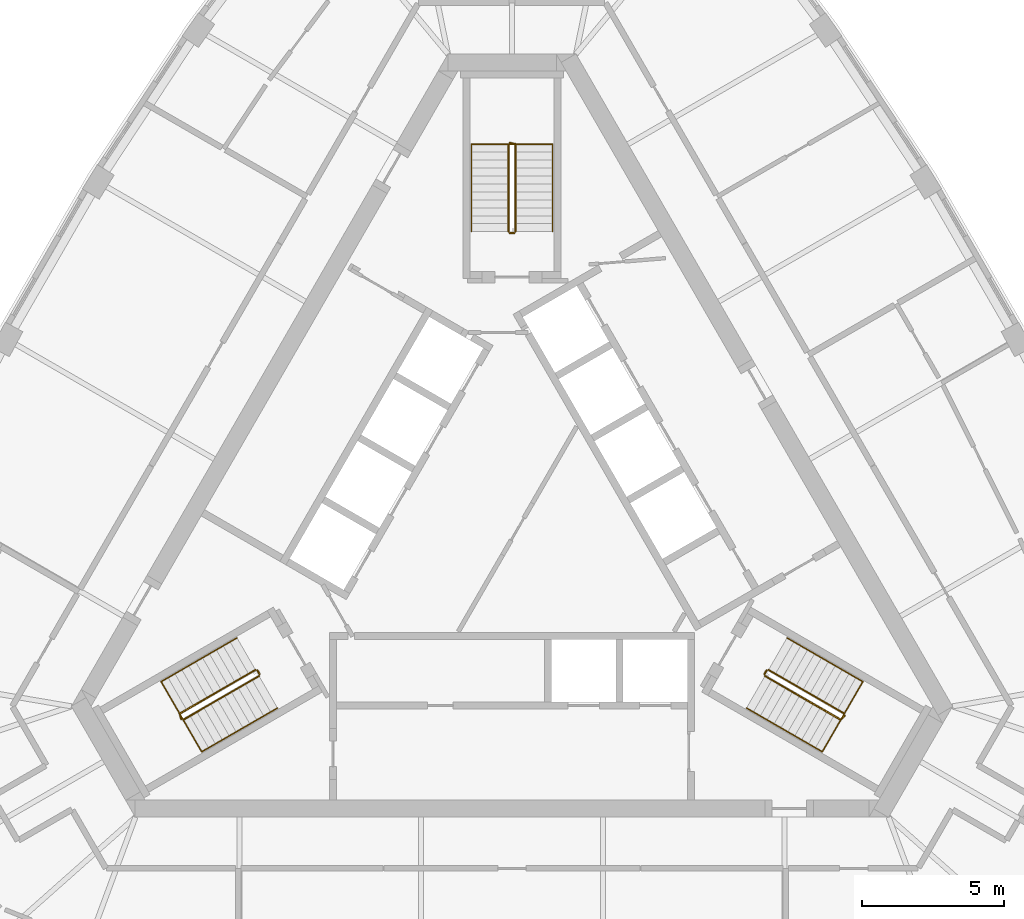
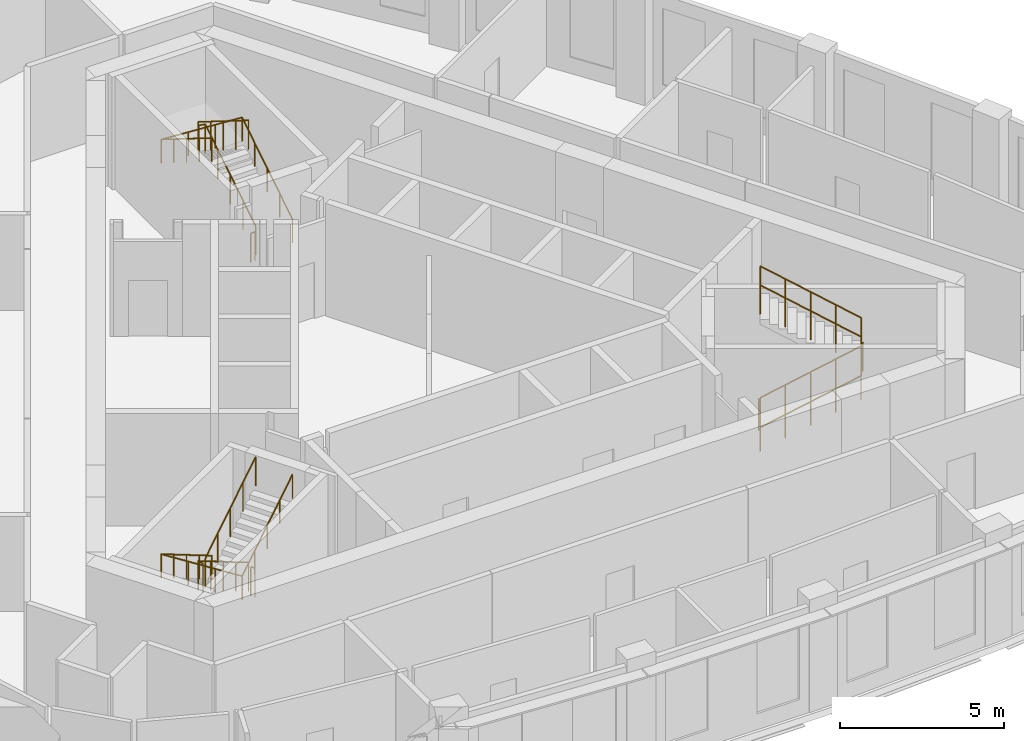
# One storey, part 10 of 10: 12 railings.
"""IFC4 building model written with IfcOpenShell, lengths in metres."""

from ifc_helpers import new_model, si_unit, direction, frame, origin, origin_2d, place, context, subcontext, project, spatial, circle, extrude, material, type_object, element, save


model = new_model("IFC4")

# Units and contexts
model_context = context("Model", 3, precision=1e-05, world=origin(), true_north=direction((0.0, 1.0)))
body_context = subcontext(model_context, "Body", "Model", "MODEL_VIEW")
ifc_project = project(units=[si_unit("LENGTHUNIT", "METRE"), si_unit("AREAUNIT", "SQUARE_METRE"), si_unit("VOLUMEUNIT", "CUBIC_METRE"), si_unit("PLANEANGLEUNIT", "RADIAN"), si_unit("MASSUNIT", "GRAM", prefix="KILO")], contexts=[model_context])

# Site, building, storey
site_placement = place(None, origin())
site = spatial("IfcSite", under=ifc_project, at=site_placement, CompositionType="ELEMENT")
building_placement = place(site_placement, origin())
building = spatial("IfcBuilding", under=site, at=building_placement, Name="Mestral Congress Tower", CompositionType="ELEMENT")
storey_placement = place(building_placement, frame((0.0, 0.0, 309.0)))
storey = spatial("IfcBuildingStorey", under=building, at=storey_placement, Name="L72", CompositionType="ELEMENT", Elevation=309.0)

# Railings
ifc_material_1 = material(Name="Steel balustrade", Category="steel")
railing_type_1 = type_object("IfcRailingType", Name="Stair guard 1100", PredefinedType="GUARDRAIL", material=ifc_material_1)
railing_1_placement = place(storey_placement, frame((8.90087890625, -5.283203125, 0.175048828125)))
element("IfcRailing", 1, at=railing_1_placement, inside=storey, type_object=railing_type_1, Name="L72 ST1 stair guard 1", PredefinedType="GUARDRAIL", context=body_context, shape_type="SweptSolid", body=[
    extrude(circle(Radius=0.02392578125, at=origin_2d()), frame((0.0, 0.0, 1.076171875), z_axis=(0.734364028329, -0.424015404183, 0.530019255228), x_axis=(0.500026652407, 0.866010015463, 0.0)), (0.0, 0.0, 1.0), 3.632080078125),
    extrude(circle(Radius=0.02392578125, at=origin_2d()), frame((2.667236328125, -1.5400390625, 3.0009765625), z_axis=(0.695164929852, 0.718850276695, 0.0), x_axis=(-0.718850276695, 0.695164929852, 0.0)), (0.0, 0.0, 1.0), 0.2060546875),
    extrude(circle(Radius=0.02099609375, at=origin_2d()), origin(), (0.0, 0.0, 1.0), 1.052001953125),
    extrude(circle(Radius=0.02099609375, at=origin_2d()), frame((0.666748046875, -0.385009765625, 0.481201171875)), (0.0, 0.0, 1.0), 1.052001953125),
    extrude(circle(Radius=0.02099609375, at=origin_2d()), frame((1.33349609375, -0.77001953125, 0.96240234375)), (0.0, 0.0, 1.0), 1.052001953125),
    extrude(circle(Radius=0.02099609375, at=origin_2d()), frame((2.00048828125, -1.155029296875, 1.44384765625)), (0.0, 0.0, 1.0), 1.052001953125),
    extrude(circle(Radius=0.02099609375, at=origin_2d()), frame((2.667236328125, -1.5400390625, 1.925048828125)), (0.0, 0.0, 1.0), 1.052001953125),
    extrude(circle(Radius=0.02099609375, at=origin_2d()), frame((2.810546875, -1.391845703125, 1.925048828125)), (0.0, 0.0, 1.0), 1.052001953125),
])
railing_2_placement = place(storey_placement, frame((11.693115234375, -6.606689453125, 2.27490234375)))
element("IfcRailing", 2, at=railing_2_placement, inside=storey, type_object=railing_type_1, Name="L72 ST1 stair guard 2", PredefinedType="GUARDRAIL", context=body_context, shape_type="SweptSolid", body=[
    extrude(circle(Radius=0.02392578125, at=origin_2d()), frame((0.0, 0.0, 1.076171875), z_axis=(-0.734364028329, 0.424015404183, 0.530019255228), x_axis=(-0.500026652407, -0.866010015463, 0.0)), (0.0, 0.0, 1.0), 3.632080078125),
    extrude(circle(Radius=0.02099609375, at=origin_2d()), origin(), (0.0, 0.0, 1.0), 1.052001953125),
    extrude(circle(Radius=0.02099609375, at=origin_2d()), frame((-0.666748046875, 0.385009765625, 0.481201171875)), (0.0, 0.0, 1.0), 1.052001953125),
    extrude(circle(Radius=0.02099609375, at=origin_2d()), frame((-1.33349609375, 0.77001953125, 0.96240234375)), (0.0, 0.0, 1.0), 1.052001953125),
    extrude(circle(Radius=0.02099609375, at=origin_2d()), frame((-2.00048828125, 1.155029296875, 1.44384765625)), (0.0, 0.0, 1.0), 1.052001953125),
    extrude(circle(Radius=0.02099609375, at=origin_2d()), frame((-2.667236328125, 1.5400390625, 1.925048828125)), (0.0, 0.0, 1.0), 1.052001953125),
])
railing_3_placement = place(storey_placement, frame((8.882568359375, -5.21484375, 0.0)))
element("IfcRailing", 3, at=railing_3_placement, inside=storey, type_object=railing_type_1, Name="L72 ST1 stair guard 3", PredefinedType="GUARDRAIL", context=body_context, shape_type="SweptSolid", body=[
    extrude(circle(Radius=0.02392578125, at=origin_2d()), frame((0.0, 0.0, 1.076171875), z_axis=(0.499816412211, 0.866131372301, 0.0), x_axis=(-0.866131372301, 0.499816412211, 0.0)), (0.0, 0.0, 1.0), 0.14990234375),
    extrude(circle(Radius=0.02099609375, at=origin_2d()), origin(), (0.0, 0.0, 1.0), 1.052001953125),
    extrude(circle(Radius=0.02099609375, at=origin_2d()), frame((0.074951171875, 0.1298828125, 0.0)), (0.0, 0.0, 1.0), 1.052001953125),
])
railing_4_placement = place(storey_placement, frame((0.125, 10.35009765625, 0.175048828125)))
element("IfcRailing", 4, at=railing_4_placement, inside=storey, type_object=railing_type_1, Name="L72 ST2 stair guard 1", PredefinedType="GUARDRAIL", context=body_context, shape_type="SweptSolid", body=[
    extrude(circle(Radius=0.02392578125, at=origin_2d()), frame((0.0, 0.0, 1.076171875), z_axis=(0.0, 0.847979421464, 0.530029150871), x_axis=(-1.0, 0.0, 0.0)), (0.0, 0.0, 1.0), 3.632080078125),
    extrude(circle(Radius=0.02392578125, at=origin_2d()), frame((0.0, 3.079833984375, 3.0009765625), z_axis=(-0.970072785993, 0.242814311512, 0.0), x_axis=(-0.242814311512, -0.970072785993, 0.0)), (0.0, 0.0, 1.0), 0.2060546875),
    extrude(circle(Radius=0.02099609375, at=origin_2d()), origin(), (0.0, 0.0, 1.0), 1.052001953125),
    extrude(circle(Radius=0.02099609375, at=origin_2d()), frame((0.0, 0.77001953125, 0.481201171875)), (0.0, 0.0, 1.0), 1.052001953125),
    extrude(circle(Radius=0.02099609375, at=origin_2d()), frame((0.0, 1.5400390625, 0.96240234375)), (0.0, 0.0, 1.0), 1.052001953125),
    extrude(circle(Radius=0.02099609375, at=origin_2d()), frame((0.0, 2.309814453125, 1.44384765625)), (0.0, 0.0, 1.0), 1.052001953125),
    extrude(circle(Radius=0.02099609375, at=origin_2d()), frame((0.0, 3.079833984375, 1.925048828125)), (0.0, 0.0, 1.0), 1.052001953125),
    extrude(circle(Radius=0.02099609375, at=origin_2d()), frame((-0.199951171875, 3.1298828125, 1.925048828125)), (0.0, 0.0, 1.0), 1.052001953125),
])
railing_5_placement = place(storey_placement, frame((-0.125, 13.429931640625, 2.27490234375)))
element("IfcRailing", 5, at=railing_5_placement, inside=storey, type_object=railing_type_1, Name="L72 ST2 stair guard 2", PredefinedType="GUARDRAIL", context=body_context, shape_type="SweptSolid", body=[
    extrude(circle(Radius=0.02392578125, at=origin_2d()), frame((0.0, 0.0, 1.076171875), z_axis=(0.0, -0.847979421464, 0.530029150871), x_axis=(1.0, 0.0, 0.0)), (0.0, 0.0, 1.0), 3.632080078125),
    extrude(circle(Radius=0.02099609375, at=origin_2d()), origin(), (0.0, 0.0, 1.0), 1.052001953125),
    extrude(circle(Radius=0.02099609375, at=origin_2d()), frame((0.0, -0.77001953125, 0.481201171875)), (0.0, 0.0, 1.0), 1.052001953125),
    extrude(circle(Radius=0.02099609375, at=origin_2d()), frame((0.0, -1.5400390625, 0.96240234375)), (0.0, 0.0, 1.0), 1.052001953125),
    extrude(circle(Radius=0.02099609375, at=origin_2d()), frame((0.0, -2.309814453125, 1.44384765625)), (0.0, 0.0, 1.0), 1.052001953125),
    extrude(circle(Radius=0.02099609375, at=origin_2d()), frame((0.0, -3.079833984375, 1.925048828125)), (0.0, 0.0, 1.0), 1.052001953125),
])
railing_6_placement = place(storey_placement, frame((0.074951171875, 10.300048828125, 0.0)))
element("IfcRailing", 6, at=railing_6_placement, inside=storey, type_object=railing_type_1, Name="L72 ST2 stair guard 3", PredefinedType="GUARDRAIL", context=body_context, shape_type="SweptSolid", body=[
    extrude(circle(Radius=0.02392578125, at=origin_2d()), frame((0.0, 0.0, 1.076171875), z_axis=(-1.0, 0.0, 0.0), x_axis=(0.0, -1.0, 0.0)), (0.0, 0.0, 1.0), 0.14990234375),
    extrude(circle(Radius=0.02099609375, at=origin_2d()), origin(), (0.0, 0.0, 1.0), 1.052001953125),
    extrude(circle(Radius=0.02099609375, at=origin_2d()), frame((-0.14990234375, 0.0, 0.0)), (0.0, 0.0, 1.0), 1.052001953125),
])
railing_7_placement = place(storey_placement, frame((-9.02587890625, -5.066650390625, 0.175048828125)))
element("IfcRailing", 7, at=railing_7_placement, inside=storey, type_object=railing_type_1, Name="L72 ST3 stair guard 1", PredefinedType="GUARDRAIL", context=body_context, shape_type="SweptSolid", body=[
    extrude(circle(Radius=0.02392578125, at=origin_2d()), frame((0.0, 0.0, 1.076171875), z_axis=(-0.734364028329, -0.424015404183, 0.530019255228), x_axis=(0.500026652407, -0.866010015463, 0.0)), (0.0, 0.0, 1.0), 3.632080078125),
    extrude(circle(Radius=0.02392578125, at=origin_2d()), frame((-2.667236328125, -1.5400390625, 3.0009765625), z_axis=(0.274721127897, -0.961523947641, 0.0), x_axis=(0.961523947641, 0.274721127897, 0.0)), (0.0, 0.0, 1.0), 0.2060546875),
    extrude(circle(Radius=0.02099609375, at=origin_2d()), origin(), (0.0, 0.0, 1.0), 1.052001953125),
    extrude(circle(Radius=0.02099609375, at=origin_2d()), frame((-0.666748046875, -0.385009765625, 0.481201171875)), (0.0, 0.0, 1.0), 1.052001953125),
    extrude(circle(Radius=0.02099609375, at=origin_2d()), frame((-1.33349609375, -0.77001953125, 0.96240234375)), (0.0, 0.0, 1.0), 1.052001953125),
    extrude(circle(Radius=0.02099609375, at=origin_2d()), frame((-2.00048828125, -1.155029296875, 1.44384765625)), (0.0, 0.0, 1.0), 1.052001953125),
    extrude(circle(Radius=0.02099609375, at=origin_2d()), frame((-2.667236328125, -1.5400390625, 1.925048828125)), (0.0, 0.0, 1.0), 1.052001953125),
    extrude(circle(Radius=0.02099609375, at=origin_2d()), frame((-2.610595703125, -1.73828125, 1.925048828125)), (0.0, 0.0, 1.0), 1.052001953125),
])
railing_8_placement = place(storey_placement, frame((-11.568115234375, -6.8232421875, 2.27490234375)))
element("IfcRailing", 8, at=railing_8_placement, inside=storey, type_object=railing_type_1, Name="L72 ST3 stair guard 2", PredefinedType="GUARDRAIL", context=body_context, shape_type="SweptSolid", body=[
    extrude(circle(Radius=0.02392578125, at=origin_2d()), frame((0.0, 0.0, 1.076171875), z_axis=(0.734364028329, 0.424015404183, 0.530019255228), x_axis=(-0.500026652407, 0.866010015463, 0.0)), (0.0, 0.0, 1.0), 3.632080078125),
    extrude(circle(Radius=0.02099609375, at=origin_2d()), origin(), (0.0, 0.0, 1.0), 1.052001953125),
    extrude(circle(Radius=0.02099609375, at=origin_2d()), frame((0.666748046875, 0.385009765625, 0.481201171875)), (0.0, 0.0, 1.0), 1.052001953125),
    extrude(circle(Radius=0.02099609375, at=origin_2d()), frame((1.33349609375, 0.77001953125, 0.96240234375)), (0.0, 0.0, 1.0), 1.052001953125),
    extrude(circle(Radius=0.02099609375, at=origin_2d()), frame((2.00048828125, 1.155029296875, 1.44384765625)), (0.0, 0.0, 1.0), 1.052001953125),
    extrude(circle(Radius=0.02099609375, at=origin_2d()), frame((2.667236328125, 1.5400390625, 1.925048828125)), (0.0, 0.0, 1.0), 1.052001953125),
])
railing_9_placement = place(storey_placement, frame((-8.95751953125, -5.0849609375, 0.0)))
element("IfcRailing", 9, at=railing_9_placement, inside=storey, type_object=railing_type_1, Name="L72 ST3 stair guard 3", PredefinedType="GUARDRAIL", context=body_context, shape_type="SweptSolid", body=[
    extrude(circle(Radius=0.02392578125, at=origin_2d()), frame((0.0, 0.0, 1.076171875), z_axis=(0.499816412211, -0.866131372301, 0.0), x_axis=(0.866131372301, 0.499816412211, 0.0)), (0.0, 0.0, 1.0), 0.14990234375),
    extrude(circle(Radius=0.02099609375, at=origin_2d()), origin(), (0.0, 0.0, 1.0), 1.052001953125),
    extrude(circle(Radius=0.02099609375, at=origin_2d()), frame((0.074951171875, -0.1298828125, 0.0)), (0.0, 0.0, 1.0), 1.052001953125),
])
ifc_material_2 = material(Name="Steel handrail", Category="steel")
railing_type_2 = type_object("IfcRailingType", Name="Stair handrail 900", PredefinedType="HANDRAIL", material=ifc_material_2)
railing_10_placement = place(storey_placement, frame((8.2509765625, -6.4091796875, 0.175048828125)))
element("IfcRailing", 10, at=railing_10_placement, inside=storey, type_object=railing_type_2, Name="L72 ST1 stair handrail 1", PredefinedType="HANDRAIL", context=body_context, shape_type="SweptSolid", body=[
    extrude(circle(Radius=0.02392578125, at=origin_2d()), frame((0.0, 0.0, 0.8759765625), z_axis=(0.734384958227, -0.423960268333, 0.530034361155), x_axis=(0.499967199496, 0.866044340336, 0.0)), (0.0, 0.0, 1.0), 3.6318359375),
    extrude(circle(Radius=0.02392578125, at=origin_2d()), frame((2.667236328125, -1.539794921875, 2.80078125), z_axis=(0.499098383545, 0.864379914213, 0.061222279016), x_axis=(-0.866004402611, 0.500036373335, 0.0)), (0.0, 0.0, 1.0), 2.855224609375),
    extrude(circle(Radius=0.02392578125, at=origin_2d()), frame((4.09228515625, 0.92822265625, 2.9755859375), z_axis=(-0.734394994316, 0.423994474112, 0.52999309264), x_axis=(-0.499992328818, -0.866029832698, 0.0)), (0.0, 0.0, 1.0), 3.63232421875),
    extrude(circle(Radius=0.02099609375, at=origin_2d()), origin(), (0.0, 0.0, 1.0), 0.851806640625),
    extrude(circle(Radius=0.02099609375, at=origin_2d()), frame((0.666748046875, -0.385009765625, 0.481201171875)), (0.0, 0.0, 1.0), 0.851806640625),
    extrude(circle(Radius=0.02099609375, at=origin_2d()), frame((1.33349609375, -0.77001953125, 0.96240234375)), (0.0, 0.0, 1.0), 0.851806640625),
    extrude(circle(Radius=0.02099609375, at=origin_2d()), frame((2.00048828125, -1.15478515625, 1.44384765625)), (0.0, 0.0, 1.0), 0.851806640625),
    extrude(circle(Radius=0.02099609375, at=origin_2d()), frame((2.667236328125, -1.539794921875, 1.925048828125)), (0.0, 0.0, 1.0), 0.851806640625),
    extrude(circle(Radius=0.02099609375, at=origin_2d()), frame((3.142333984375, -0.717041015625, 1.9833984375)), (0.0, 0.0, 1.0), 0.851806640625),
    extrude(circle(Radius=0.02099609375, at=origin_2d()), frame((3.6171875, 0.10546875, 2.04150390625)), (0.0, 0.0, 1.0), 0.851806640625),
    extrude(circle(Radius=0.02099609375, at=origin_2d()), frame((4.09228515625, 0.92822265625, 2.099853515625)), (0.0, 0.0, 1.0), 0.851806640625),
    extrude(circle(Radius=0.02099609375, at=origin_2d()), frame((3.42529296875, 1.313232421875, 2.5810546875)), (0.0, 0.0, 1.0), 0.851806640625),
    extrude(circle(Radius=0.02099609375, at=origin_2d()), frame((2.758544921875, 1.6982421875, 3.0625)), (0.0, 0.0, 1.0), 0.851806640625),
    extrude(circle(Radius=0.02099609375, at=origin_2d()), frame((2.091796875, 2.083251953125, 3.543701171875)), (0.0, 0.0, 1.0), 0.851806640625),
    extrude(circle(Radius=0.02099609375, at=origin_2d()), frame((1.4248046875, 2.46826171875, 4.02490234375)), (0.0, 0.0, 1.0), 0.851806640625),
])
railing_11_placement = place(storey_placement, frame((1.425048828125, 10.35009765625, 0.175048828125)))
element("IfcRailing", 11, at=railing_11_placement, inside=storey, type_object=railing_type_2, Name="L72 ST2 stair handrail 1", PredefinedType="HANDRAIL", context=body_context, shape_type="SweptSolid", body=[
    extrude(circle(Radius=0.02392578125, at=origin_2d()), frame((0.0, 0.0, 0.8759765625), z_axis=(0.0, 0.847979421464, 0.530029150871), x_axis=(-1.0, 0.0, 0.0)), (0.0, 0.0, 1.0), 3.632080078125),
    extrude(circle(Radius=0.02392578125, at=origin_2d()), frame((0.0, 3.079833984375, 2.80078125), z_axis=(-0.998124429008, 0.0, 0.061217842314), x_axis=(0.0, -1.0, 0.0)), (0.0, 0.0, 1.0), 2.85546875),
    extrude(circle(Radius=0.02392578125, at=origin_2d()), frame((-2.85009765625, 3.079833984375, 2.9755859375), z_axis=(0.0, -0.847979421464, 0.530029150871), x_axis=(1.0, 0.0, 0.0)), (0.0, 0.0, 1.0), 3.632080078125),
    extrude(circle(Radius=0.02099609375, at=origin_2d()), origin(), (0.0, 0.0, 1.0), 0.851806640625),
    extrude(circle(Radius=0.02099609375, at=origin_2d()), frame((0.0, 0.77001953125, 0.481201171875)), (0.0, 0.0, 1.0), 0.851806640625),
    extrude(circle(Radius=0.02099609375, at=origin_2d()), frame((0.0, 1.5400390625, 0.96240234375)), (0.0, 0.0, 1.0), 0.851806640625),
    extrude(circle(Radius=0.02099609375, at=origin_2d()), frame((0.0, 2.309814453125, 1.44384765625)), (0.0, 0.0, 1.0), 0.851806640625),
    extrude(circle(Radius=0.02099609375, at=origin_2d()), frame((0.0, 3.079833984375, 1.925048828125)), (0.0, 0.0, 1.0), 0.851806640625),
    extrude(circle(Radius=0.02099609375, at=origin_2d()), frame((-0.949951171875, 3.079833984375, 1.9833984375)), (0.0, 0.0, 1.0), 0.851806640625),
    extrude(circle(Radius=0.02099609375, at=origin_2d()), frame((-1.900146484375, 3.079833984375, 2.04150390625)), (0.0, 0.0, 1.0), 0.851806640625),
    extrude(circle(Radius=0.02099609375, at=origin_2d()), frame((-2.85009765625, 3.079833984375, 2.099853515625)), (0.0, 0.0, 1.0), 0.851806640625),
    extrude(circle(Radius=0.02099609375, at=origin_2d()), frame((-2.85009765625, 2.309814453125, 2.5810546875)), (0.0, 0.0, 1.0), 0.851806640625),
    extrude(circle(Radius=0.02099609375, at=origin_2d()), frame((-2.85009765625, 1.5400390625, 3.0625)), (0.0, 0.0, 1.0), 0.851806640625),
    extrude(circle(Radius=0.02099609375, at=origin_2d()), frame((-2.85009765625, 0.77001953125, 3.543701171875)), (0.0, 0.0, 1.0), 0.851806640625),
    extrude(circle(Radius=0.02099609375, at=origin_2d()), frame((-2.85009765625, 0.0, 4.02490234375)), (0.0, 0.0, 1.0), 0.851806640625),
])
railing_12_placement = place(storey_placement, frame((-9.67578125, -3.94091796875, 0.175048828125)))
element("IfcRailing", 12, at=railing_12_placement, inside=storey, type_object=railing_type_2, Name="L72 ST3 stair handrail 1", PredefinedType="HANDRAIL", context=body_context, shape_type="SweptSolid", body=[
    extrude(circle(Radius=0.02392578125, at=origin_2d()), frame((0.0, 0.0, 0.8759765625), z_axis=(-0.734394994316, -0.423994474112, 0.52999309264), x_axis=(0.499992328818, -0.866029832698, 0.0)), (0.0, 0.0, 1.0), 3.63232421875),
    extrude(circle(Radius=0.02392578125, at=origin_2d()), frame((-2.66748046875, -1.5400390625, 2.80078125), z_axis=(0.499098383545, -0.864379914213, 0.061222279016), x_axis=(0.866004402611, 0.500036373335, 0.0)), (0.0, 0.0, 1.0), 2.855224609375),
    extrude(circle(Radius=0.02392578125, at=origin_2d()), frame((-1.242431640625, -4.008056640625, 2.9755859375), z_axis=(0.734384958227, 0.423960268333, 0.530034361155), x_axis=(-0.499967199496, 0.866044340336, 0.0)), (0.0, 0.0, 1.0), 3.6318359375),
    extrude(circle(Radius=0.02099609375, at=origin_2d()), origin(), (0.0, 0.0, 1.0), 0.851806640625),
    extrude(circle(Radius=0.02099609375, at=origin_2d()), frame((-0.6669921875, -0.385009765625, 0.481201171875)), (0.0, 0.0, 1.0), 0.851806640625),
    extrude(circle(Radius=0.02099609375, at=origin_2d()), frame((-1.333740234375, -0.77001953125, 0.96240234375)), (0.0, 0.0, 1.0), 0.851806640625),
    extrude(circle(Radius=0.02099609375, at=origin_2d()), frame((-2.00048828125, -1.155029296875, 1.44384765625)), (0.0, 0.0, 1.0), 0.851806640625),
    extrude(circle(Radius=0.02099609375, at=origin_2d()), frame((-2.66748046875, -1.5400390625, 1.925048828125)), (0.0, 0.0, 1.0), 0.851806640625),
    extrude(circle(Radius=0.02099609375, at=origin_2d()), frame((-2.1923828125, -2.36279296875, 1.9833984375)), (0.0, 0.0, 1.0), 0.851806640625),
    extrude(circle(Radius=0.02099609375, at=origin_2d()), frame((-1.717529296875, -3.185302734375, 2.04150390625)), (0.0, 0.0, 1.0), 0.851806640625),
    extrude(circle(Radius=0.02099609375, at=origin_2d()), frame((-1.242431640625, -4.008056640625, 2.099853515625)), (0.0, 0.0, 1.0), 0.851806640625),
    extrude(circle(Radius=0.02099609375, at=origin_2d()), frame((-0.57568359375, -3.623046875, 2.5810546875)), (0.0, 0.0, 1.0), 0.851806640625),
    extrude(circle(Radius=0.02099609375, at=origin_2d()), frame((0.09130859375, -3.23828125, 3.0625)), (0.0, 0.0, 1.0), 0.851806640625),
    extrude(circle(Radius=0.02099609375, at=origin_2d()), frame((0.758056640625, -2.853271484375, 3.543701171875)), (0.0, 0.0, 1.0), 0.851806640625),
    extrude(circle(Radius=0.02099609375, at=origin_2d()), frame((1.4248046875, -2.46826171875, 4.02490234375)), (0.0, 0.0, 1.0), 0.851806640625),
])

save(model, "model.ifc")
